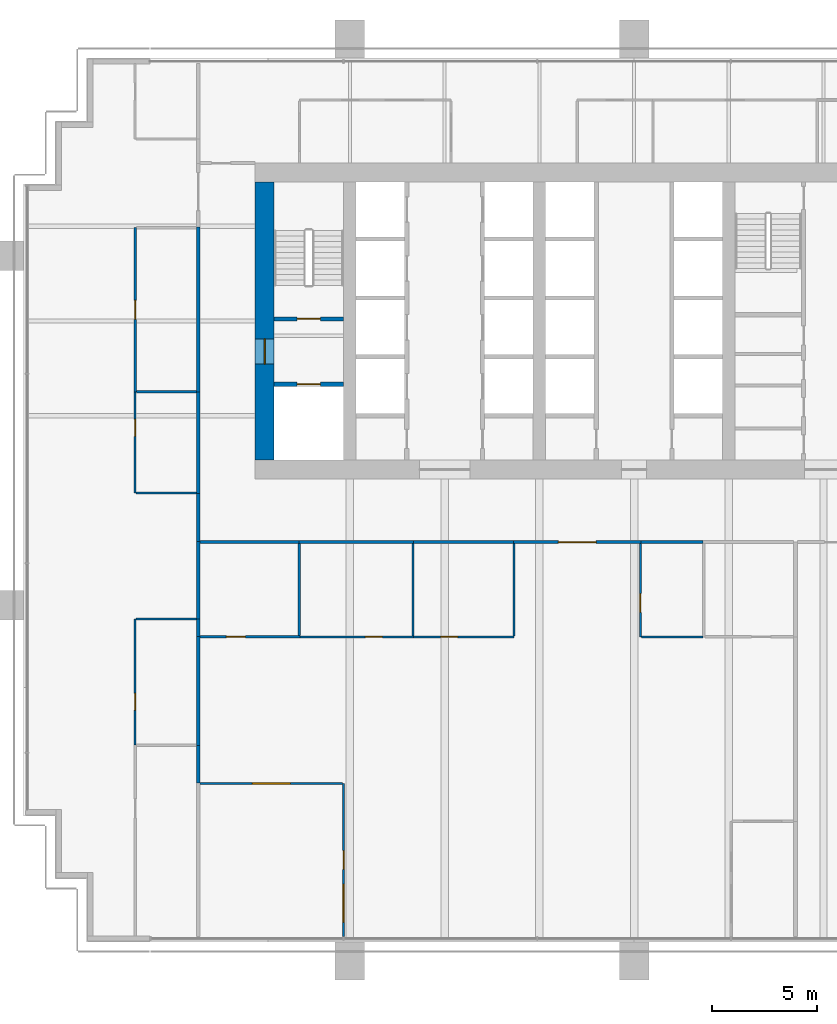
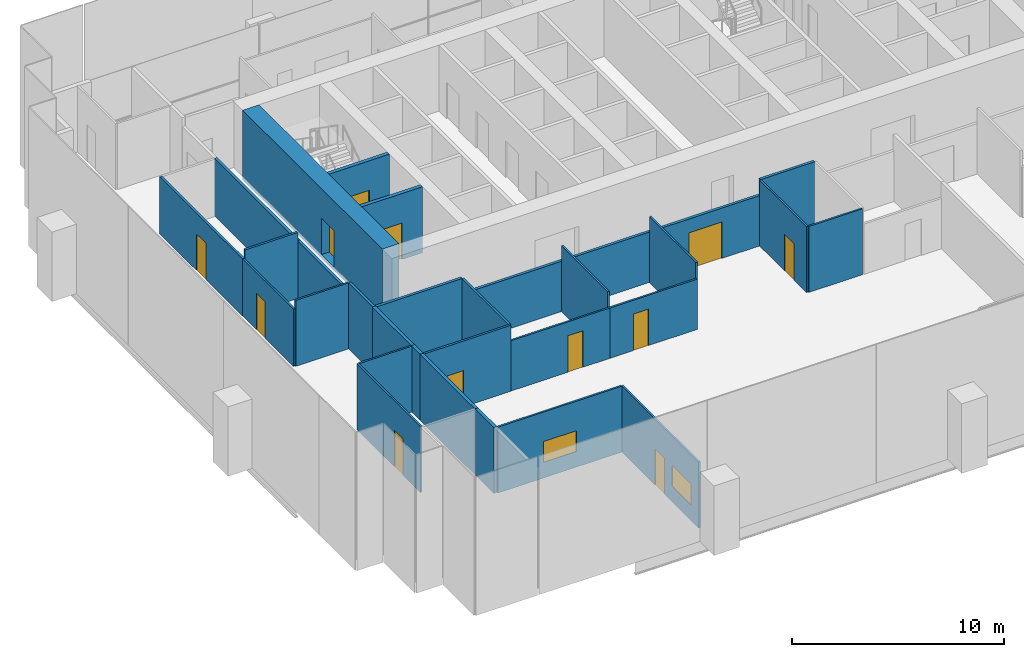
# One storey, part 10 of 17: 31 walls, 12 doors, 2 windows, 14 openings.
"""IFC4 building model written with IfcOpenShell, lengths in metres."""

from ifc_helpers import new_model, si_unit, direction, frame, frame_2d, origin, place, context, subcontext, project, spatial, rectangle, extrude, material, layer, layer_set, type_object, element, fill, save


model = new_model("IFC4")

# Units and contexts
model_context = context("Model", 3, precision=1e-05, world=origin(), true_north=direction((0.0, 1.0)))
body_context = subcontext(model_context, "Body", "Model", "MODEL_VIEW")
ifc_project = project(units=[si_unit("LENGTHUNIT", "METRE"), si_unit("AREAUNIT", "SQUARE_METRE"), si_unit("VOLUMEUNIT", "CUBIC_METRE"), si_unit("PLANEANGLEUNIT", "RADIAN"), si_unit("MASSUNIT", "GRAM", prefix="KILO")], contexts=[model_context])

# Site, building, storey
site_placement = place(None, origin())
site = spatial("IfcSite", under=ifc_project, at=site_placement, CompositionType="ELEMENT")
building_placement = place(site_placement, origin())
building = spatial("IfcBuilding", under=site, at=building_placement, Name="Rattan Terrace Tower", CompositionType="ELEMENT")
storey_placement = place(building_placement, frame((0.0, 0.0, 126.10009765625)))
storey = spatial("IfcBuildingStorey", under=building, at=storey_placement, Name="L28", CompositionType="ELEMENT", Elevation=126.10009765625)

# Wall, opening, door
ifc_material_1 = material(Name="Gypsum board partition")
ifc_layer_1 = layer(ifc_material_1, 0.199951171875)
ifc_layer_set_1 = layer_set([ifc_layer_1], Name="Core partition 200")
wall_type_1 = type_object("IfcWallType", Name="Core partition 200", PredefinedType="PARTITIONING", material=ifc_layer_set_1)
wall_1_placement = place(storey_placement, frame((-17.10009765625, -3.0, 0.0), z_axis=(0.0, 0.0, 1.0), x_axis=(1.0, 0.0, 0.0)))
wall_1 = element("IfcWall", 1, at=wall_1_placement, inside=storey, type_object=wall_type_1, Name="Fire-fighting lobby wall", PredefinedType="PARTITIONING", context=body_context, shape_type="SweptSolid", body=[
    extrude(rectangle(XDim=3.300048828125, YDim=0.199951171875, at=frame_2d((1.64990234375, 0.0))), origin(), (0.0, 0.0, 1.0), 3.7998046875),
])
opening_1_placement = place(wall_1_placement, frame((1.10009765625, 0.0, 0.0)))
opening_1 = element("IfcOpeningElement", 2, at=opening_1_placement, cuts=wall_1, Name="Opening L28-LD-FF1", PredefinedType="OPENING", context=body_context, shape_type="SweptSolid", body=[
    extrude(rectangle(XDim=1.10009765625, YDim=2.10009765625, at=frame_2d((0.550048828125, 1.050048828125))), frame((0.0, 0.110595703125, 0.0), z_axis=(0.0, -1.0, 0.0), x_axis=(1.0, 0.0, 0.0)), (0.0, 0.0, 1.0), 0.220947265625),
])
ifc_material_2 = material(Name="Brushed stainless landing door panel")
door_type_1 = type_object("IfcDoorType", Name="Core lift landing door 1100", OperationType="DOUBLE_DOOR_SLIDING", PredefinedType="DOOR", material=ifc_material_2)
door_1_placement = place(opening_1_placement, origin())
door_1 = element("IfcDoor", 3, at=door_1_placement, inside=storey, type_object=door_type_1, Name="Door L28-LD-FF1", OperationType="DOUBLE_DOOR_SLIDING", OverallHeight=2.10009765625, OverallWidth=1.10009765625, PredefinedType="DOOR", context=body_context, shape_type="SweptSolid", body=[
    extrude(rectangle(XDim=1.10009765625, YDim=2.10009765625, at=frame_2d((0.550048828125, 1.050048828125))), frame((0.0, 0.02490234375, 0.0), z_axis=(0.0, -1.0, 0.0), x_axis=(1.0, 0.0, 0.0)), (0.0, 0.0, 1.0), 0.050048828125),
])
fill(opening_1, door_1)

wall_2_placement = place(storey_placement, frame((-17.10009765625, 0.10009765625, 0.0), z_axis=(0.0, 0.0, 1.0), x_axis=(1.0, 0.0, 0.0)))
wall_2 = element("IfcWall", 4, at=wall_2_placement, inside=storey, type_object=wall_type_1, Name="Stair enclosure wall", PredefinedType="PARTITIONING", context=body_context, shape_type="SweptSolid", body=[
    extrude(rectangle(XDim=3.300048828125, YDim=0.199951171875, at=frame_2d((1.64990234375, 0.0))), origin(), (0.0, 0.0, 1.0), 3.7998046875),
])
opening_2_placement = place(wall_2_placement, frame((1.10009765625, 0.0, 0.0)))
opening_2 = element("IfcOpeningElement", 5, at=opening_2_placement, cuts=wall_2, Name="Opening L28-D002", PredefinedType="OPENING", context=body_context, shape_type="SweptSolid", body=[
    extrude(rectangle(XDim=1.10009765625, YDim=2.10009765625, at=frame_2d((0.550048828125, 1.050048828125))), frame((0.0, 0.110595703125, 0.0), z_axis=(0.0, -1.0, 0.0), x_axis=(1.0, 0.0, 0.0)), (0.0, 0.0, 1.0), 0.220947265625),
])
ifc_material_3 = material(Name="Hollow-metal fire door leaf")
door_type_2 = type_object("IfcDoorType", Name="Core stair door 1100", OperationType="NOTDEFINED", PredefinedType="DOOR", material=ifc_material_3)
door_2_placement = place(opening_2_placement, origin())
door_2 = element("IfcDoor", 6, at=door_2_placement, inside=storey, type_object=door_type_2, Name="Door L28-D002", OperationType="SINGLE_SWING_RIGHT", OverallHeight=2.10009765625, OverallWidth=1.10009765625, PredefinedType="DOOR", context=body_context, shape_type="SweptSolid", body=[
    extrude(rectangle(XDim=1.10009765625, YDim=2.10009765625, at=frame_2d((0.550048828125, 1.050048828125))), frame((0.0, 0.02490234375, 0.0), z_axis=(0.0, -1.0, 0.0), x_axis=(1.0, 0.0, 0.0)), (0.0, 0.0, 1.0), 0.050048828125),
])
fill(opening_2, door_2)

ifc_material_4 = material(Name="Concrete C60/75", Category="concrete")
ifc_layer_2 = layer(ifc_material_4, 0.89990234375)
ifc_layer_set_2 = layer_set([ifc_layer_2], Name="Core ring wall 900 C60/75")
wall_type_2 = type_object("IfcWallType", Name="Core ring wall 900 C60/75", PredefinedType="SHEAR", material=ifc_layer_set_2)
wall_3_placement = place(storey_placement, frame((-17.550048828125, -6.60009765625, -0.2001953125), z_axis=(0.0, 0.0, 1.0), x_axis=(0.0, 1.0, 0.0)))
wall_3 = element("IfcWall", 7, at=wall_3_placement, inside=storey, type_object=wall_type_2, Name="Rear core wall west", PredefinedType="SHEAR", context=body_context, shape_type="SweptSolid", body=[
    extrude(rectangle(XDim=13.2001953125, YDim=0.89990234375, at=frame_2d((6.60009765625, 0.0))), origin(), (0.0, 0.0, 1.0), 4.0),
])
opening_3_placement = place(wall_3_placement, frame((4.550048828125, 0.0, 0.199951171875)))
opening_3 = element("IfcOpeningElement", 8, at=opening_3_placement, cuts=wall_3, Name="Opening L28-D001", PredefinedType="OPENING", context=body_context, shape_type="SweptSolid", body=[
    extrude(rectangle(XDim=1.199951171875, YDim=2.10009765625, at=frame_2d((0.60009765625, 1.050048828125))), frame((0.0, 0.46044921875, 0.0), z_axis=(0.0, -1.0, 0.0), x_axis=(1.0, 0.0, 0.0)), (0.0, 0.0, 1.0), 0.9208984375),
])
ifc_material_5 = material(Name="Hollow-metal fire door leaf")
door_type_3 = type_object("IfcDoorType", Name="Core fire-fighting lobby door 1200", OperationType="NOTDEFINED", PredefinedType="DOOR", material=ifc_material_5)
door_3_placement = place(opening_3_placement, origin())
door_3 = element("IfcDoor", 9, at=door_3_placement, inside=storey, type_object=door_type_3, Name="Door L28-D001", OperationType="SINGLE_SWING_LEFT", OverallHeight=2.10009765625, OverallWidth=1.199951171875, PredefinedType="DOOR", context=body_context, shape_type="SweptSolid", body=[
    extrude(rectangle(XDim=1.199951171875, YDim=2.10009765625, at=frame_2d((0.60009765625, 1.050048828125))), frame((0.0, 0.02490234375, 0.0), z_axis=(0.0, -1.0, 0.0), x_axis=(1.0, 0.0, 0.0)), (0.0, 0.0, 1.0), 0.050048828125),
])
fill(opening_3, door_3)

# Walls
ifc_material_6 = material(Name="Double steel stud acoustic partition, gypsum board, mineral wool, fire rated", Category="steel")
ifc_layer_3 = layer(ifc_material_6, 0.179931640625)
ifc_layer_set_3 = layer_set([ifc_layer_3], Name="Floors Acoustic Party Wall 180")
wall_type_3 = type_object("IfcWallType", Name="Floors Acoustic Party Wall 180", PredefinedType="PARTITIONING", material=ifc_layer_set_3)
wall_4_placement = place(storey_placement, frame((-20.699951171875, -10.47998046875, 0.0), z_axis=(0.0, 0.0, 1.0), x_axis=(0.0, -1.0, 0.0)))
element("IfcWall", 10, at=wall_4_placement, inside=storey, type_object=wall_type_3, Name="pt-L28-029", PredefinedType="PARTITIONING", context=body_context, shape_type="SweptSolid", body=[
    extrude(rectangle(XDim=3.679931640625, YDim=0.179931640625, at=frame_2d((1.83984375, 0.0))), origin(), (0.0, 0.0, 1.0), 3.7998046875),
])
wall_5_placement = place(storey_placement, frame((-20.699951171875, -20.159912109375, 0.0), z_axis=(0.0, 0.0, 1.0), x_axis=(0.0, -1.0, 0.0)))
element("IfcWall", 11, at=wall_5_placement, inside=storey, type_object=wall_type_3, Name="pt-L28-032", PredefinedType="PARTITIONING", context=body_context, shape_type="SweptSolid", body=[
    extrude(rectangle(XDim=1.780029296875, YDim=0.179931640625, at=frame_2d((0.89013671875, 0.0))), origin(), (0.0, 0.0, 1.0), 3.7998046875),
])
wall_6_placement = place(storey_placement, frame((-20.699951171875, -14.97998046875, 0.0), z_axis=(0.0, 0.0, 1.0), x_axis=(0.0, -1.0, 0.0)))
element("IfcWall", 12, at=wall_6_placement, inside=storey, type_object=wall_type_3, Name="pt-L28-034", PredefinedType="PARTITIONING", context=body_context, shape_type="SweptSolid", body=[
    extrude(rectangle(XDim=5.179931640625, YDim=0.179931640625, at=frame_2d((2.58984375, 0.0))), origin(), (0.0, 0.0, 1.0), 3.7998046875),
])
wall_7_placement = place(storey_placement, frame((-20.699951171875, -14.159912109375, 0.0), z_axis=(0.0, 0.0, 1.0), x_axis=(0.0, -1.0, 0.0)))
element("IfcWall", 13, at=wall_7_placement, inside=storey, type_object=wall_type_3, Name="pt-L28-035", PredefinedType="PARTITIONING", context=body_context, shape_type="SweptSolid", body=[
    extrude(rectangle(XDim=0.820068359375, YDim=0.179931640625, at=frame_2d((0.41015625, 0.0))), origin(), (0.0, 0.0, 1.0), 3.7998046875),
])

# Wall, opening, door
ifc_material_7 = material(Name="Gypsum board partition on steel studs", Category="steel")
ifc_layer_4 = layer(ifc_material_7, 0.10009765625)
ifc_layer_set_4 = layer_set([ifc_layer_4], Name="Floors Partition 100")
wall_type_4 = type_object("IfcWallType", Name="Floors Partition 100", PredefinedType="PARTITIONING", material=ifc_layer_set_4)
wall_8_placement = place(storey_placement, frame((-23.699951171875, -14.159912109375, 0.0), z_axis=(0.0, 0.0, 1.0), x_axis=(0.0, -1.0, 0.0)))
wall_8 = element("IfcWall", 14, at=wall_8_placement, inside=storey, type_object=wall_type_4, Name="pt-L28-021", PredefinedType="PARTITIONING", context=body_context, shape_type="SweptSolid", body=[
    extrude(rectangle(XDim=5.97998046875, YDim=0.10009765625, at=frame_2d((2.989990234375, 0.0))), origin(), (0.0, 0.0, 1.0), 3.7998046875),
])
opening_4_placement = place(wall_8_placement, frame((3.52587890625, 0.0, 0.0)))
opening_4 = element("IfcOpeningElement", 15, at=opening_4_placement, cuts=wall_8, Name="Opening L28-D102", PredefinedType="OPENING", context=body_context, shape_type="SweptSolid", body=[
    extrude(rectangle(XDim=0.800048828125, YDim=2.10009765625, at=frame_2d((0.39990234375, 1.050048828125))), frame((0.0, 0.060546875, 0.0), z_axis=(0.0, -1.0, 0.0), x_axis=(1.0, 0.0, 0.0)), (0.0, 0.0, 1.0), 0.12109375),
])
ifc_material_8 = material(Name="Solid core timber door, painted", Category="wood")
door_type_4 = type_object("IfcDoorType", Name="Floors Store Door 800x2100", OperationType="NOTDEFINED", PredefinedType="DOOR", material=ifc_material_8)
door_4_placement = place(opening_4_placement, origin())
door_4 = element("IfcDoor", 16, at=door_4_placement, inside=storey, type_object=door_type_4, Name="d-L28-102", OperationType="SINGLE_SWING_RIGHT", OverallHeight=2.10009765625, OverallWidth=0.800048828125, PredefinedType="DOOR", context=body_context, shape_type="SweptSolid", body=[
    extrude(rectangle(XDim=0.800048828125, YDim=2.10009765625, at=frame_2d((0.39990234375, 1.050048828125))), frame((0.0, 0.02490234375, 0.0), z_axis=(0.0, -1.0, 0.0), x_axis=(1.0, 0.0, 0.0)), (0.0, 0.0, 1.0), 0.050048828125),
])
fill(opening_4, door_4)

# Wall
wall_9_placement = place(storey_placement, frame((-20.7900390625, -14.159912109375, 0.0), z_axis=(0.0, 0.0, 1.0), x_axis=(-1.0, 0.0, 0.0)))
element("IfcWall", 17, at=wall_9_placement, inside=storey, type_object=wall_type_4, Name="pt-L28-022", PredefinedType="PARTITIONING", context=body_context, shape_type="SweptSolid", body=[
    extrude(rectangle(XDim=2.85986328125, YDim=0.10009765625, at=frame_2d((1.429931640625, 0.0))), origin(), (0.0, 0.0, 1.0), 3.7998046875),
])

# Wall, opening, door
wall_10_placement = place(storey_placement, frame((-23.699951171875, -3.3798828125, 0.0), z_axis=(0.0, 0.0, 1.0), x_axis=(0.0, -1.0, 0.0)))
wall_10 = element("IfcWall", 18, at=wall_10_placement, inside=storey, type_object=wall_type_4, Name="pt-L28-023", PredefinedType="PARTITIONING", context=body_context, shape_type="SweptSolid", body=[
    extrude(rectangle(XDim=4.780029296875, YDim=0.10009765625, at=frame_2d((2.39013671875, 0.0))), origin(), (0.0, 0.0, 1.0), 3.2998046875),
])
opening_5_placement = place(wall_10_placement, frame((1.2939453125, 0.0, 0.0)))
opening_5 = element("IfcOpeningElement", 19, at=opening_5_placement, cuts=wall_10, Name="Opening L28-D103", PredefinedType="OPENING", context=body_context, shape_type="SweptSolid", body=[
    extrude(rectangle(XDim=0.800048828125, YDim=2.10009765625, at=frame_2d((0.39990234375, 1.050048828125))), frame((0.0, 0.060546875, 0.0), z_axis=(0.0, -1.0, 0.0), x_axis=(1.0, 0.0, 0.0)), (0.0, 0.0, 1.0), 0.12109375),
])
door_5_placement = place(opening_5_placement, origin())
door_5 = element("IfcDoor", 20, at=door_5_placement, inside=storey, type_object=door_type_4, Name="d-L28-103", OperationType="SINGLE_SWING_LEFT", OverallHeight=2.10009765625, OverallWidth=0.800048828125, PredefinedType="DOOR", context=body_context, shape_type="SweptSolid", body=[
    extrude(rectangle(XDim=0.800048828125, YDim=2.10009765625, at=frame_2d((0.39990234375, 1.050048828125))), frame((0.0, 0.02490234375, 0.0), z_axis=(0.0, -1.0, 0.0), x_axis=(1.0, 0.0, 0.0)), (0.0, 0.0, 1.0), 0.050048828125),
])
fill(opening_5, door_5)

# Wall
wall_11_placement = place(storey_placement, frame((-23.64990234375, -8.159912109375, 0.0), z_axis=(0.0, 0.0, 1.0), x_axis=(1.0, 0.0, 0.0)))
element("IfcWall", 21, at=wall_11_placement, inside=storey, type_object=wall_type_4, Name="pt-L28-024", PredefinedType="PARTITIONING", context=body_context, shape_type="SweptSolid", body=[
    extrude(rectangle(XDim=2.875, YDim=0.10009765625, at=frame_2d((1.4375, 0.0))), origin(), (0.0, 0.0, 1.0), 3.7998046875),
])

# Wall, opening, window
wall_12_placement = place(storey_placement, frame((-13.85009765625, -21.9599609375, 0.0), z_axis=(0.0, 0.0, 1.0), x_axis=(-1.0, 0.0, 0.0)))
wall_12 = element("IfcWall", 22, at=wall_12_placement, inside=storey, type_object=wall_type_4, Name="pt-L28-040", PredefinedType="PARTITIONING", context=body_context, shape_type="SweptSolid", body=[
    extrude(rectangle(XDim=6.760009765625, YDim=0.10009765625, at=frame_2d((3.3798828125, 0.0))), origin(), (0.0, 0.0, 1.0), 3.7998046875),
])
opening_6_placement = place(wall_12_placement, frame((2.47998046875, 0.0, 0.89990234375)))
opening_6 = element("IfcOpeningElement", 23, at=opening_6_placement, cuts=wall_12, Name="Opening L28-W102", PredefinedType="OPENING", context=body_context, shape_type="SweptSolid", body=[
    extrude(rectangle(XDim=1.800048828125, YDim=1.199951171875, at=frame_2d((0.89990234375, 0.60009765625))), frame((0.0, 0.060546875, 0.0), z_axis=(0.0, -1.0, 0.0), x_axis=(1.0, 0.0, 0.0)), (0.0, 0.0, 1.0), 0.12109375),
])
ifc_material_9 = material(Name="Glass, clear, fixed in aluminium frame", Category="aluminium")
window_type = type_object("IfcWindowType", Name="Interior Vision Window 1800x1200", PartitioningType="SINGLE_PANEL", PredefinedType="WINDOW", material=ifc_material_9)
window_1_placement = place(opening_6_placement, origin())
window_1 = element("IfcWindow", 24, at=window_1_placement, inside=storey, type_object=window_type, Name="w-L28-102", OverallHeight=1.199951171875, OverallWidth=1.800048828125, PartitioningType="SINGLE_PANEL", PredefinedType="WINDOW", context=body_context, shape_type="SweptSolid", body=[
    extrude(rectangle(XDim=1.800048828125, YDim=1.199951171875, at=frame_2d((0.89990234375, 0.60009765625))), frame((0.0, 0.030029296875, 0.0), z_axis=(0.0, -1.0, 0.0), x_axis=(1.0, 0.0, 0.0)), (0.0, 0.0, 1.0), 0.06005859375),
])
fill(opening_6, window_1)

# Wall, openings, door, window
wall_13_placement = place(storey_placement, frame((-13.800048828125, -29.239990234375, 0.0), z_axis=(0.0, 0.0, 1.0), x_axis=(0.0, 1.0, 0.0)))
wall_13 = element("IfcWall", 25, at=wall_13_placement, inside=storey, type_object=wall_type_4, Name="pt-L28-041", PredefinedType="PARTITIONING", context=body_context, shape_type="SweptSolid", body=[
    extrude(rectangle(XDim=7.280029296875, YDim=0.10009765625, at=frame_2d((3.64013671875, 0.0))), origin(), (0.0, 0.0, 1.0), 3.7998046875),
])
opening_7_placement = place(wall_13_placement, frame((3.18994140625, 0.0, 0.0)))
opening_7 = element("IfcOpeningElement", 26, at=opening_7_placement, cuts=wall_13, Name="Opening L28-D108", PredefinedType="OPENING", context=body_context, shape_type="SweptSolid", body=[
    extrude(rectangle(XDim=0.89990234375, YDim=2.10009765625, at=frame_2d((0.449951171875, 1.050048828125))), frame((0.0, 0.060546875, 0.0), z_axis=(0.0, -1.0, 0.0), x_axis=(1.0, 0.0, 0.0)), (0.0, 0.0, 1.0), 0.12109375),
])
opening_8_placement = place(wall_13_placement, frame((0.695068359375, 0.0, 0.89990234375)))
opening_8 = element("IfcOpeningElement", 27, at=opening_8_placement, cuts=wall_13, Name="Opening L28-W103", PredefinedType="OPENING", context=body_context, shape_type="SweptSolid", body=[
    extrude(rectangle(XDim=1.800048828125, YDim=1.199951171875, at=frame_2d((0.89990234375, 0.60009765625))), frame((0.0, 0.060546875, 0.0), z_axis=(0.0, -1.0, 0.0), x_axis=(1.0, 0.0, 0.0)), (0.0, 0.0, 1.0), 0.12109375),
])
ifc_material_10 = material(Name="Solid core timber door, painted", Category="wood")
door_type_5 = type_object("IfcDoorType", Name="Floors Door 900x2100", OperationType="NOTDEFINED", PredefinedType="DOOR", material=ifc_material_10)
door_6_placement = place(opening_7_placement, origin())
door_6 = element("IfcDoor", 28, at=door_6_placement, inside=storey, type_object=door_type_5, Name="d-L28-108", OperationType="SINGLE_SWING_LEFT", OverallHeight=2.10009765625, OverallWidth=0.89990234375, PredefinedType="DOOR", context=body_context, shape_type="SweptSolid", body=[
    extrude(rectangle(XDim=0.89990234375, YDim=2.10009765625, at=frame_2d((0.449951171875, 1.050048828125))), frame((0.0, 0.02490234375, 0.0), z_axis=(0.0, -1.0, 0.0), x_axis=(1.0, 0.0, 0.0)), (0.0, 0.0, 1.0), 0.050048828125),
])
fill(opening_7, door_6)
window_2_placement = place(opening_8_placement, origin())
window_2 = element("IfcWindow", 29, at=window_2_placement, inside=storey, type_object=window_type, Name="w-L28-103", OverallHeight=1.199951171875, OverallWidth=1.800048828125, PartitioningType="SINGLE_PANEL", PredefinedType="WINDOW", context=body_context, shape_type="SweptSolid", body=[
    extrude(rectangle(XDim=1.800048828125, YDim=1.199951171875, at=frame_2d((0.89990234375, 0.60009765625))), frame((0.0, 0.030029296875, 0.0), z_axis=(0.0, -1.0, 0.0), x_axis=(1.0, 0.0, 0.0)), (0.0, 0.0, 1.0), 0.06005859375),
])
fill(opening_8, window_2)

# Wall, opening, door
wall_14_placement = place(storey_placement, frame((-15.8798828125, -15.0, 0.0), z_axis=(0.0, 0.0, 1.0), x_axis=(1.0, 0.0, 0.0)))
wall_14 = element("IfcWall", 30, at=wall_14_placement, inside=storey, type_object=wall_type_4, Name="pt-L28-043", PredefinedType="PARTITIONING", context=body_context, shape_type="SweptSolid", body=[
    extrude(rectangle(XDim=5.39990234375, YDim=0.10009765625, at=frame_2d((2.699951171875, 0.0))), origin(), (0.0, 0.0, 1.0), 2.89990234375),
])
opening_9_placement = place(wall_14_placement, frame((3.1201171875, 0.0, 0.0)))
opening_9 = element("IfcOpeningElement", 31, at=opening_9_placement, cuts=wall_14, Name="Opening L28-D110", PredefinedType="OPENING", context=body_context, shape_type="SweptSolid", body=[
    extrude(rectangle(XDim=0.800048828125, YDim=2.10009765625, at=frame_2d((0.39990234375, 1.050048828125))), frame((0.0, 0.060546875, 0.0), z_axis=(0.0, -1.0, 0.0), x_axis=(1.0, 0.0, 0.0)), (0.0, 0.0, 1.0), 0.12109375),
])
door_7_placement = place(opening_9_placement, origin())
door_7 = element("IfcDoor", 32, at=door_7_placement, inside=storey, type_object=door_type_4, Name="d-L28-110", OperationType="SINGLE_SWING_RIGHT", OverallHeight=2.10009765625, OverallWidth=0.800048828125, PredefinedType="DOOR", context=body_context, shape_type="SweptSolid", body=[
    extrude(rectangle(XDim=0.800048828125, YDim=2.10009765625, at=frame_2d((0.39990234375, 1.050048828125))), frame((0.0, 0.02490234375, 0.0), z_axis=(0.0, -1.0, 0.0), x_axis=(1.0, 0.0, 0.0)), (0.0, 0.0, 1.0), 0.050048828125),
])
fill(opening_9, door_7)

wall_15_placement = place(storey_placement, frame((-10.47998046875, -15.0, 0.0), z_axis=(0.0, 0.0, 1.0), x_axis=(1.0, 0.0, 0.0)))
wall_15 = element("IfcWall", 33, at=wall_15_placement, inside=storey, type_object=wall_type_4, Name="pt-L28-044", PredefinedType="PARTITIONING", context=body_context, shape_type="SweptSolid", body=[
    extrude(rectangle(XDim=4.780029296875, YDim=0.10009765625, at=frame_2d((2.39013671875, 0.0))), origin(), (0.0, 0.0, 1.0), 2.89990234375),
])
opening_10_placement = place(wall_15_placement, frame((1.2939453125, 0.0, 0.0)))
opening_10 = element("IfcOpeningElement", 34, at=opening_10_placement, cuts=wall_15, Name="Opening L28-D111", PredefinedType="OPENING", context=body_context, shape_type="SweptSolid", body=[
    extrude(rectangle(XDim=0.800048828125, YDim=2.10009765625, at=frame_2d((0.39990234375, 1.050048828125))), frame((0.0, 0.060546875, 0.0), z_axis=(0.0, -1.0, 0.0), x_axis=(1.0, 0.0, 0.0)), (0.0, 0.0, 1.0), 0.12109375),
])
door_8_placement = place(opening_10_placement, origin())
door_8 = element("IfcDoor", 35, at=door_8_placement, inside=storey, type_object=door_type_4, Name="d-L28-111", OperationType="SINGLE_SWING_LEFT", OverallHeight=2.10009765625, OverallWidth=0.800048828125, PredefinedType="DOOR", context=body_context, shape_type="SweptSolid", body=[
    extrude(rectangle(XDim=0.800048828125, YDim=2.10009765625, at=frame_2d((0.39990234375, 1.050048828125))), frame((0.0, 0.02490234375, 0.0), z_axis=(0.0, -1.0, 0.0), x_axis=(1.0, 0.0, 0.0)), (0.0, 0.0, 1.0), 0.050048828125),
])
fill(opening_10, door_8)

# Wall
wall_16_placement = place(storey_placement, frame((-5.699951171875, -14.949951171875, 0.0), z_axis=(0.0, 0.0, 1.0), x_axis=(0.0, 1.0, 0.0)))
element("IfcWall", 36, at=wall_16_placement, inside=storey, type_object=wall_type_4, Name="pt-L28-045", PredefinedType="PARTITIONING", context=body_context, shape_type="SweptSolid", body=[
    extrude(rectangle(XDim=4.375, YDim=0.10009765625, at=frame_2d((2.1875, 0.0))), origin(), (0.0, 0.0, 1.0), 3.7998046875),
])

# Wall, opening, door
wall_17_placement = place(storey_placement, frame((0.300048828125, -10.574951171875, 0.0), z_axis=(0.0, 0.0, 1.0), x_axis=(0.0, -1.0, 0.0)))
wall_17 = element("IfcWall", 37, at=wall_17_placement, inside=storey, type_object=wall_type_4, Name="pt-L28-046", PredefinedType="PARTITIONING", context=body_context, shape_type="SweptSolid", body=[
    extrude(rectangle(XDim=4.425048828125, YDim=0.10009765625, at=frame_2d((2.21240234375, 0.0))), origin(), (0.0, 0.0, 1.0), 3.7998046875),
])
opening_11_placement = place(wall_17_placement, frame((2.367919921875, 0.0, 0.0)))
opening_11 = element("IfcOpeningElement", 38, at=opening_11_placement, cuts=wall_17, Name="Opening L28-D112", PredefinedType="OPENING", context=body_context, shape_type="SweptSolid", body=[
    extrude(rectangle(XDim=0.89990234375, YDim=2.10009765625, at=frame_2d((0.449951171875, 1.050048828125))), frame((0.0, 0.060546875, 0.0), z_axis=(0.0, -1.0, 0.0), x_axis=(1.0, 0.0, 0.0)), (0.0, 0.0, 1.0), 0.12109375),
])
door_9_placement = place(opening_11_placement, origin())
door_9 = element("IfcDoor", 39, at=door_9_placement, inside=storey, type_object=door_type_5, Name="d-L28-112", OperationType="SINGLE_SWING_RIGHT", OverallHeight=2.10009765625, OverallWidth=0.89990234375, PredefinedType="DOOR", context=body_context, shape_type="SweptSolid", body=[
    extrude(rectangle(XDim=0.89990234375, YDim=2.10009765625, at=frame_2d((0.449951171875, 1.050048828125))), frame((0.0, 0.02490234375, 0.0), z_axis=(0.0, -1.0, 0.0), x_axis=(1.0, 0.0, 0.0)), (0.0, 0.0, 1.0), 0.050048828125),
])
fill(opening_11, door_9)

# Walls
wall_18_placement = place(storey_placement, frame((0.35009765625, -15.0, 0.0), z_axis=(0.0, 0.0, 1.0), x_axis=(1.0, 0.0, 0.0)))
element("IfcWall", 40, at=wall_18_placement, inside=storey, type_object=wall_type_4, Name="pt-L28-047", PredefinedType="PARTITIONING", context=body_context, shape_type="SweptSolid", body=[
    extrude(rectangle(XDim=2.929931640625, YDim=0.10009765625, at=frame_2d((1.46484375, 0.0))), origin(), (0.0, 0.0, 1.0), 3.7998046875),
])
wall_19_placement = place(storey_placement, frame((-10.5, -10.574951171875, 0.0), z_axis=(0.0, 0.0, 1.0), x_axis=(0.0, -1.0, 0.0)))
element("IfcWall", 41, at=wall_19_placement, inside=storey, type_object=wall_type_4, Name="pt-L28-052", PredefinedType="PARTITIONING", context=body_context, shape_type="SweptSolid", body=[
    extrude(rectangle(XDim=4.375, YDim=0.10009765625, at=frame_2d((2.1875, 0.0))), origin(), (0.0, 0.0, 1.0), 3.7998046875),
])
ifc_material_11 = material(Name="Gypsum board partition on steel studs, fire rated", Category="steel")
ifc_layer_5 = layer(ifc_material_11, 0.14990234375)
ifc_layer_set_5 = layer_set([ifc_layer_5], Name="Floors Tenancy Wall 150")
wall_type_5 = type_object("IfcWallType", Name="Floors Tenancy Wall 150", PredefinedType="PARTITIONING", material=ifc_layer_set_5)
wall_20_placement = place(storey_placement, frame((-20.699951171875, -10.47998046875, 0.0), z_axis=(0.0, 0.0, 1.0), x_axis=(0.0, 1.0, 0.0)))
element("IfcWall", 42, at=wall_20_placement, inside=storey, type_object=wall_type_5, Name="pt-L28-001", PredefinedType="PARTITIONING", context=body_context, shape_type="SweptSolid", body=[
    extrude(rectangle(XDim=2.300048828125, YDim=0.14990234375, at=frame_2d((1.14990234375, 0.0))), origin(), (0.0, 0.0, 1.0), 3.7998046875),
])
wall_21_placement = place(storey_placement, frame((-20.699951171875, -8.179931640625, 0.0), z_axis=(0.0, 0.0, 1.0), x_axis=(0.0, 1.0, 0.0)))
element("IfcWall", 43, at=wall_21_placement, inside=storey, type_object=wall_type_5, Name="pt-L28-003", PredefinedType="PARTITIONING", context=body_context, shape_type="SweptSolid", body=[
    extrude(rectangle(XDim=4.800048828125, YDim=0.14990234375, at=frame_2d((2.39990234375, 0.0))), origin(), (0.0, 0.0, 1.0), 3.2998046875),
])
wall_22_placement = place(storey_placement, frame((-20.699951171875, -3.3798828125, 0.0), z_axis=(0.0, 0.0, 1.0), x_axis=(0.0, 1.0, 0.0)))
element("IfcWall", 44, at=wall_22_placement, inside=storey, type_object=wall_type_5, Name="pt-L28-004", PredefinedType="PARTITIONING", context=body_context, shape_type="SweptSolid", body=[
    extrude(rectangle(XDim=7.83984375, YDim=0.14990234375, at=frame_2d((3.919921875, 0.0))), origin(), (0.0, 0.0, 1.0), 3.2998046875),
])

# Wall, opening, door
wall_23_placement = place(storey_placement, frame((0.320068359375, -10.5, 0.0), z_axis=(0.0, 0.0, 1.0), x_axis=(-1.0, 0.0, 0.0)))
wall_23 = element("IfcWall", 45, at=wall_23_placement, inside=storey, type_object=wall_type_5, Name="pt-L28-005", PredefinedType="PARTITIONING", context=body_context, shape_type="SweptSolid", body=[
    extrude(rectangle(XDim=6.0400390625, YDim=0.14990234375, at=frame_2d((3.02001953125, 0.0))), origin(), (0.0, 0.0, 1.0), 2.89990234375),
])
opening_12_placement = place(wall_23_placement, frame((2.1201171875, 0.0, 0.0)))
opening_12 = element("IfcOpeningElement", 46, at=opening_12_placement, cuts=wall_23, Name="Opening L28-D106", PredefinedType="OPENING", context=body_context, shape_type="SweptSolid", body=[
    extrude(rectangle(XDim=1.800048828125, YDim=2.10009765625, at=frame_2d((0.89990234375, 1.050048828125))), frame((0.0, 0.08544921875, 0.0), z_axis=(0.0, -1.0, 0.0), x_axis=(1.0, 0.0, 0.0)), (0.0, 0.0, 1.0), 0.1708984375),
])
ifc_material_12 = material(Name="Steel fire door set", Category="steel")
door_type_6 = type_object("IfcDoorType", Name="Floors Fire Door Pair FD30S 1800x2100", OperationType="NOTDEFINED", PredefinedType="DOOR", material=ifc_material_12)
door_10_placement = place(opening_12_placement, origin())
door_10 = element("IfcDoor", 47, at=door_10_placement, inside=storey, type_object=door_type_6, Name="d-L28-106", OperationType="DOUBLE_DOOR_SINGLE_SWING", OverallHeight=2.10009765625, OverallWidth=1.800048828125, PredefinedType="DOOR", context=body_context, shape_type="SweptSolid", body=[
    extrude(rectangle(XDim=1.800048828125, YDim=2.10009765625, at=frame_2d((0.89990234375, 1.050048828125))), frame((0.0, 0.02490234375, 0.0), z_axis=(0.0, -1.0, 0.0), x_axis=(1.0, 0.0, 0.0)), (0.0, 0.0, 1.0), 0.050048828125),
])
fill(opening_12, door_10)

# Walls
wall_24_placement = place(storey_placement, frame((-15.919921875, -10.5, 0.0), z_axis=(0.0, 0.0, 1.0), x_axis=(-1.0, 0.0, 0.0)))
element("IfcWall", 48, at=wall_24_placement, inside=storey, type_object=wall_type_5, Name="pt-L28-006", PredefinedType="PARTITIONING", context=body_context, shape_type="SweptSolid", body=[
    extrude(rectangle(XDim=4.690185546875, YDim=0.14990234375, at=frame_2d((2.34521484375, 0.0))), origin(), (0.0, 0.0, 1.0), 3.7998046875),
])
wall_25_placement = place(storey_placement, frame((-10.47998046875, -10.5, 0.0), z_axis=(0.0, 0.0, 1.0), x_axis=(-1.0, 0.0, 0.0)))
element("IfcWall", 49, at=wall_25_placement, inside=storey, type_object=wall_type_5, Name="pt-L28-007", PredefinedType="PARTITIONING", context=body_context, shape_type="SweptSolid", body=[
    extrude(rectangle(XDim=5.43994140625, YDim=0.14990234375, at=frame_2d((2.719970703125, 0.0))), origin(), (0.0, 0.0, 1.0), 2.89990234375),
])
wall_26_placement = place(storey_placement, frame((-5.719970703125, -10.5, 0.0), z_axis=(0.0, 0.0, 1.0), x_axis=(-1.0, 0.0, 0.0)))
element("IfcWall", 50, at=wall_26_placement, inside=storey, type_object=wall_type_5, Name="pt-L28-008", PredefinedType="PARTITIONING", context=body_context, shape_type="SweptSolid", body=[
    extrude(rectangle(XDim=4.760009765625, YDim=0.14990234375, at=frame_2d((2.3798828125, 0.0))), origin(), (0.0, 0.0, 1.0), 2.89990234375),
])
wall_27_placement = place(storey_placement, frame((3.280029296875, -10.5, 0.0), z_axis=(0.0, 0.0, 1.0), x_axis=(-1.0, 0.0, 0.0)))
element("IfcWall", 51, at=wall_27_placement, inside=storey, type_object=wall_type_5, Name="pt-L28-009", PredefinedType="PARTITIONING", context=body_context, shape_type="SweptSolid", body=[
    extrude(rectangle(XDim=2.9599609375, YDim=0.14990234375, at=frame_2d((1.47998046875, 0.0))), origin(), (0.0, 0.0, 1.0), 3.7998046875),
])

# Wall, opening, door
ifc_material_13 = material(Name="Moisture resistant gypsum board partition on steel studs with service cavity", Category="steel")
ifc_layer_6 = layer(ifc_material_13, 0.1201171875)
ifc_layer_set_6 = layer_set([ifc_layer_6], Name="Floors Wet Wall 120")
wall_type_6 = type_object("IfcWallType", Name="Floors Wet Wall 120", PredefinedType="PARTITIONING", material=ifc_layer_set_6)
wall_28_placement = place(storey_placement, frame((-23.699951171875, 4.43994140625, 0.0), z_axis=(0.0, 0.0, 1.0), x_axis=(0.0, -1.0, 0.0)))
wall_28 = element("IfcWall", 52, at=wall_28_placement, inside=storey, type_object=wall_type_6, Name="pt-L28-025", PredefinedType="PARTITIONING", context=body_context, shape_type="SweptSolid", body=[
    extrude(rectangle(XDim=7.81982421875, YDim=0.1201171875, at=frame_2d((3.909912109375, 0.0))), origin(), (0.0, 0.0, 1.0), 3.2998046875),
])
opening_13_placement = place(wall_28_placement, frame((3.4599609375, 0.0, 0.0)))
opening_13 = element("IfcOpeningElement", 53, at=opening_13_placement, cuts=wall_28, Name="Opening L28-D104", PredefinedType="OPENING", context=body_context, shape_type="SweptSolid", body=[
    extrude(rectangle(XDim=0.89990234375, YDim=2.10009765625, at=frame_2d((0.449951171875, 1.050048828125))), frame((0.0, 0.070556640625, 0.0), z_axis=(0.0, -1.0, 0.0), x_axis=(1.0, 0.0, 0.0)), (0.0, 0.0, 1.0), 0.14111328125),
])
door_11_placement = place(opening_13_placement, origin())
door_11 = element("IfcDoor", 54, at=door_11_placement, inside=storey, type_object=door_type_5, Name="d-L28-104", OperationType="SINGLE_SWING_LEFT", OverallHeight=2.10009765625, OverallWidth=0.89990234375, PredefinedType="DOOR", context=body_context, shape_type="SweptSolid", body=[
    extrude(rectangle(XDim=0.89990234375, YDim=2.10009765625, at=frame_2d((0.449951171875, 1.050048828125))), frame((0.0, 0.02490234375, 0.0), z_axis=(0.0, -1.0, 0.0), x_axis=(1.0, 0.0, 0.0)), (0.0, 0.0, 1.0), 0.050048828125),
])
fill(opening_13, door_11)

# Wall
wall_29_placement = place(storey_placement, frame((-23.639892578125, -3.360107421875, 0.0), z_axis=(0.0, 0.0, 1.0), x_axis=(1.0, 0.0, 0.0)))
element("IfcWall", 55, at=wall_29_placement, inside=storey, type_object=wall_type_6, Name="pt-L28-036", PredefinedType="PARTITIONING", context=body_context, shape_type="SweptSolid", body=[
    extrude(rectangle(XDim=2.864990234375, YDim=0.1201171875, at=frame_2d((1.4326171875, 0.0))), origin(), (0.0, 0.0, 1.0), 3.7998046875),
])

# Wall, opening, door
wall_30_placement = place(storey_placement, frame((-20.610107421875, -15.0, 0.0), z_axis=(0.0, 0.0, 1.0), x_axis=(1.0, 0.0, 0.0)))
wall_30 = element("IfcWall", 56, at=wall_30_placement, inside=storey, type_object=wall_type_6, Name="pt-L28-042", PredefinedType="PARTITIONING", context=body_context, shape_type="SweptSolid", body=[
    extrude(rectangle(XDim=4.730224609375, YDim=0.1201171875, at=frame_2d((2.365234375, 0.0))), origin(), (0.0, 0.0, 1.0), 3.7998046875),
])
opening_14_placement = place(wall_30_placement, frame((1.2490234375, 0.0, 0.0)))
opening_14 = element("IfcOpeningElement", 57, at=opening_14_placement, cuts=wall_30, Name="Opening L28-D109", PredefinedType="OPENING", context=body_context, shape_type="SweptSolid", body=[
    extrude(rectangle(XDim=0.89990234375, YDim=2.10009765625, at=frame_2d((0.449951171875, 1.050048828125))), frame((0.0, 0.070556640625, 0.0), z_axis=(0.0, -1.0, 0.0), x_axis=(1.0, 0.0, 0.0)), (0.0, 0.0, 1.0), 0.14111328125),
])
door_12_placement = place(opening_14_placement, origin())
door_12 = element("IfcDoor", 58, at=door_12_placement, inside=storey, type_object=door_type_5, Name="d-L28-109", OperationType="SINGLE_SWING_LEFT", OverallHeight=2.10009765625, OverallWidth=0.89990234375, PredefinedType="DOOR", context=body_context, shape_type="SweptSolid", body=[
    extrude(rectangle(XDim=0.89990234375, YDim=2.10009765625, at=frame_2d((0.449951171875, 1.050048828125))), frame((0.0, 0.02490234375, 0.0), z_axis=(0.0, -1.0, 0.0), x_axis=(1.0, 0.0, 0.0)), (0.0, 0.0, 1.0), 0.050048828125),
])
fill(opening_14, door_12)

# Wall
wall_31_placement = place(storey_placement, frame((-15.89990234375, -10.574951171875, 0.0), z_axis=(0.0, 0.0, 1.0), x_axis=(0.0, -1.0, 0.0)))
element("IfcWall", 59, at=wall_31_placement, inside=storey, type_object=wall_type_6, Name="pt-L28-051", PredefinedType="PARTITIONING", context=body_context, shape_type="SweptSolid", body=[
    extrude(rectangle(XDim=4.364990234375, YDim=0.1201171875, at=frame_2d((2.1826171875, 0.0))), origin(), (0.0, 0.0, 1.0), 3.7998046875),
])

save(model, "model.ifc")
